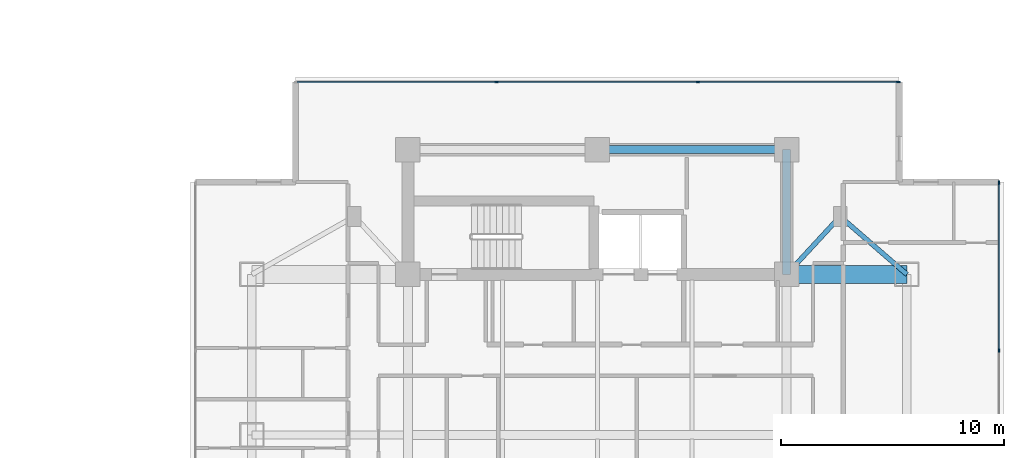
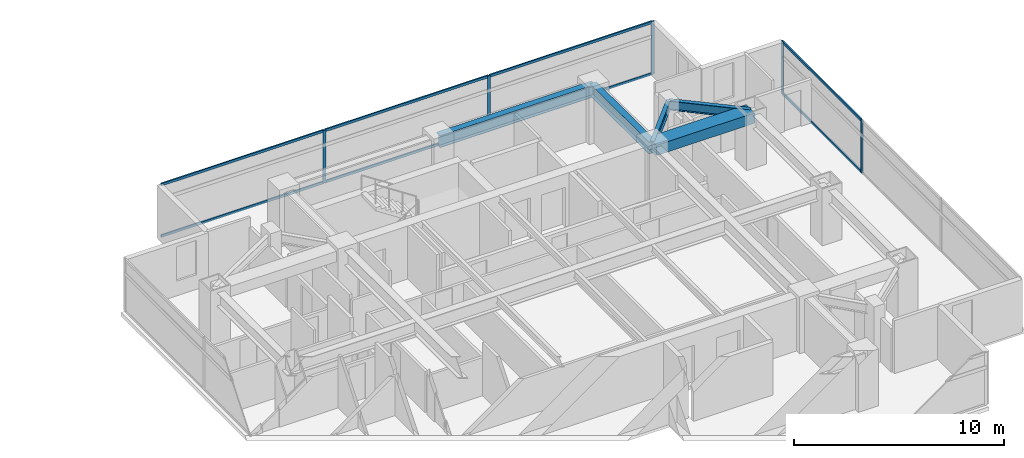
# One storey, part 10 of 24: 13 members, 5 beams, 2 elements without a shape of their own.
"""IFC4 building model written with IfcOpenShell, lengths in metres."""

from ifc_helpers import new_model, si_unit, direction, frame, origin, origin_2d, place, context, subcontext, project, spatial, rectangle, i_section, extrude, material, material_profile, profile_set, type_object, element, aggregate, save


model = new_model("IFC4")

# Units and contexts
model_context = context("Model", 3, precision=1e-05, world=origin(), true_north=direction((0.0, 1.0)))
body_context = subcontext(model_context, "Body", "Model", "MODEL_VIEW")
ifc_project = project(units=[si_unit("LENGTHUNIT", "METRE"), si_unit("AREAUNIT", "SQUARE_METRE"), si_unit("VOLUMEUNIT", "CUBIC_METRE"), si_unit("PLANEANGLEUNIT", "RADIAN"), si_unit("MASSUNIT", "GRAM", prefix="KILO")], contexts=[model_context])

# Site, building, storey
site_placement = place(None, origin())
site = spatial("IfcSite", under=ifc_project, at=site_placement, CompositionType="ELEMENT")
building_placement = place(site_placement, origin())
building = spatial("IfcBuilding", under=site, at=building_placement, Name="Mirazonda Arch Towers", CompositionType="ELEMENT")
storey_placement = place(building_placement, frame((0.0, 0.0, 134.60009765625)))
storey = spatial("IfcBuildingStorey", under=building, at=storey_placement, Name="L38", CompositionType="ELEMENT", Elevation=134.60009765625)

# Beams
ifc_material_1 = material(Name="Steel ASTM A992 Grade 50", Category="steel")
ifc_material_profile_1 = material_profile(ifc_material_1, i_section(OverallWidth=0.214111328125, OverallDepth=0.549072265625, WebThickness=0.0146484375, FlangeThickness=0.023681640625, at=origin_2d()), Name="W21X93")
ifc_profile_set_1 = profile_set([ifc_material_profile_1], Name="Steel ASTM A992 Grade 50")
beam_type_1 = type_object("IfcBeamType", Name="BM-INT-W21X93", PredefinedType="BEAM", material=ifc_profile_set_1)
beam_1_placement = place(storey_placement, frame((87.39990234375, 37.800048828125, 2.805419921875), z_axis=(-0.678251444854, -0.734829897019, 0.0), x_axis=(0.734829897019, -0.678251444854, 0.0)))
element("IfcBeam", 1, at=beam_1_placement, inside=storey, type_object=beam_type_1, Name="L38 Floor Beam BM-T2-L38-PL-NE1", PredefinedType="BEAM", context=body_context, shape_type="SweptSolid", body=[
    extrude(i_section(OverallWidth=0.214111328125, OverallDepth=0.549072265625, WebThickness=0.0146484375, FlangeThickness=0.023681640625, at=origin_2d()), origin(), (0.0, 0.0, 1.0), 3.538330078125),
])
beam_2_placement = place(storey_placement, frame((87.39990234375, 37.800048828125, 2.805419921875), z_axis=(0.755676908098, -0.654944585876, 0.0), x_axis=(0.654944585876, 0.755676908098, 0.0)))
element("IfcBeam", 2, at=beam_2_placement, inside=storey, type_object=beam_type_1, Name="L38 Floor Beam BM-T2-L38-PL-NE2", PredefinedType="BEAM", context=body_context, shape_type="SweptSolid", body=[
    extrude(i_section(OverallWidth=0.214111328125, OverallDepth=0.549072265625, WebThickness=0.0146484375, FlangeThickness=0.023681640625, at=origin_2d()), origin(), (0.0, 0.0, 1.0), 3.969970703125),
])
ifc_material_profile_2 = material_profile(ifc_material_1, i_section(OverallWidth=0.35498046875, OverallDepth=0.696044921875, WebThickness=0.015380859375, FlangeThickness=0.02490234375, at=origin_2d()), Name="W27X146")
ifc_profile_set_2 = profile_set([ifc_material_profile_2], Name="Steel ASTM A992 Grade 50")
beam_type_2 = type_object("IfcBeamType", Name="BM-INT-W27X146", PredefinedType="BEAM", material=ifc_profile_set_2)
beam_3_placement = place(storey_placement, frame((76.5, 40.800048828125, 2.73193359375), z_axis=(1.0, 0.0, 0.0), x_axis=(0.0, 1.0, 0.0)))
element("IfcBeam", 3, at=beam_3_placement, inside=storey, type_object=beam_type_2, Name="L38 Floor Beam BM-T2-L38-CN2", PredefinedType="BEAM", context=body_context, shape_type="SweptSolid", body=[
    extrude(i_section(OverallWidth=0.35498046875, OverallDepth=0.696044921875, WebThickness=0.015380859375, FlangeThickness=0.02490234375, at=origin_2d()), origin(), (0.0, 0.0, 1.0), 8.5),
])
beam_4_placement = place(storey_placement, frame((85.0, 35.199951171875, 2.73193359375), z_axis=(0.0, 1.0, 0.0), x_axis=(-1.0, 0.0, 0.0)))
element("IfcBeam", 4, at=beam_4_placement, inside=storey, type_object=beam_type_2, Name="L38 Floor Beam BM-T2-L38-CNE", PredefinedType="BEAM", context=body_context, shape_type="SweptSolid", body=[
    extrude(i_section(OverallWidth=0.35498046875, OverallDepth=0.696044921875, WebThickness=0.015380859375, FlangeThickness=0.02490234375, at=origin_2d()), origin(), (0.0, 0.0, 1.0), 5.60009765625),
])
ifc_material_2 = material(Name="Concrete C60/75", Category="concrete")
ifc_material_profile_3 = material_profile(ifc_material_2, rectangle(XDim=0.800048828125, YDim=0.60009765625, at=origin_2d()), Name="RCCB800x600")
ifc_profile_set_3 = profile_set([ifc_material_profile_3], Name="Concrete C60/75")
beam_type_3 = type_object("IfcBeamType", Name="CB-INT-RCCB800x600", PredefinedType="SPANDREL", material=ifc_profile_set_3)
beam_5_placement = place(storey_placement, frame((85.0, 35.199951171875, 2.77978515625), z_axis=(1.0, 0.0, 0.0), x_axis=(0.0, 1.0, 0.0)))
element("IfcBeam", 5, at=beam_5_placement, inside=storey, type_object=beam_type_3, Name="L38 Floor Beam CBC-T2-L38-NE", PredefinedType="SPANDREL", context=body_context, shape_type="SweptSolid", body=[
    extrude(rectangle(XDim=0.800048828125, YDim=0.60009765625, at=origin_2d()), origin(), (0.0, 0.0, 1.0), 5.39990234375),
])

# Curtain wall, members
ifc_material_3 = material(Name="Anodised Aluminium and Low-E Glass", Category="aluminium")
curtain_wall_type = type_object("IfcCurtainWallType", Name="CW-HTL-UNIT", PredefinedType="NOTDEFINED", material=ifc_material_3)
curtain_wall_1_placement = place(storey_placement, origin())
curtain_wall_1 = element("IfcCurtainWall", 6, at=curtain_wall_1_placement, inside=storey, type_object=curtain_wall_type, Name="L38 T2 E Facade CW-L38-T2-E", PredefinedType="NOTDEFINED")
ifc_material_4 = material(Name="Anodised Aluminium Alloy", Category="aluminium")
ifc_material_profile_4 = material_profile(ifc_material_4, rectangle(XDim=0.074951171875, YDim=0.1650390625, at=origin_2d()), Name="ALU-MULL-75x165")
ifc_profile_set_4 = profile_set([ifc_material_profile_4], Name="Anodised Aluminium Alloy")
member_type_1 = type_object("IfcMemberType", Name="MULL-CW-HTL-UNIT", PredefinedType="MULLION", material=ifc_profile_set_4)
member_1_placement = place(storey_placement, frame((94.534912109375, 31.782958984375, 0.0), z_axis=(0.0, 0.0, 1.0), x_axis=(-1.0, 0.0, 0.0)))
member_1 = element("IfcMember", 7, at=member_1_placement, type_object=member_type_1, Name="CW-112 mullion 3", PredefinedType="MULLION", context=body_context, shape_type="SweptSolid", body=[
    extrude(rectangle(XDim=0.074951171875, YDim=0.1650390625, at=origin_2d()), origin(), (0.0, 0.0, 1.0), 3.059814453125),
])
member_2_placement = place(storey_placement, frame((94.534912109375, 39.3115234375, 0.0), z_axis=(0.0, 0.0, 1.0), x_axis=(-1.0, 0.0, 0.0)))
member_2 = element("IfcMember", 8, at=member_2_placement, type_object=member_type_1, Name="CW-112 mullion 4", PredefinedType="MULLION", context=body_context, shape_type="SweptSolid", body=[
    extrude(rectangle(XDim=0.074951171875, YDim=0.1650390625, at=origin_2d()), origin(), (0.0, 0.0, 1.0), 3.059814453125),
])

curtain_wall_2_placement = place(storey_placement, origin())
curtain_wall_2 = element("IfcCurtainWall", 9, at=curtain_wall_2_placement, inside=storey, type_object=curtain_wall_type, Name="L38 T2 N Facade CW-L38-T2-N", PredefinedType="NOTDEFINED")
member_3_placement = place(storey_placement, frame((71.98388671875, 43.83544921875, 0.0), z_axis=(0.0, 0.0, 1.0), x_axis=(0.0, 1.0, 0.0)))
member_3 = element("IfcMember", 10, at=member_3_placement, type_object=member_type_1, Name="CW-112 mullion 2", PredefinedType="MULLION", context=body_context, shape_type="SweptSolid", body=[
    extrude(rectangle(XDim=0.074951171875, YDim=0.1650390625, at=origin_2d()), origin(), (0.0, 0.0, 1.0), 3.059814453125),
])
member_4_placement = place(storey_placement, frame((81.01611328125, 43.83544921875, 0.0), z_axis=(0.0, 0.0, 1.0), x_axis=(0.0, 1.0, 0.0)))
member_4 = element("IfcMember", 11, at=member_4_placement, type_object=member_type_1, Name="CW-112 mullion 3", PredefinedType="MULLION", context=body_context, shape_type="SweptSolid", body=[
    extrude(rectangle(XDim=0.074951171875, YDim=0.1650390625, at=origin_2d()), origin(), (0.0, 0.0, 1.0), 3.059814453125),
])
member_5_placement = place(storey_placement, frame((90.010986328125, 43.83544921875, 0.0), z_axis=(0.0, 0.0, 1.0), x_axis=(0.0, 1.0, 0.0)))
member_5 = element("IfcMember", 12, at=member_5_placement, type_object=member_type_1, Name="CW-112 mullion 4", PredefinedType="MULLION", context=body_context, shape_type="SweptSolid", body=[
    extrude(rectangle(XDim=0.074951171875, YDim=0.1650390625, at=origin_2d()), origin(), (0.0, 0.0, 1.0), 3.059814453125),
])

# Member
ifc_material_profile_5 = material_profile(ifc_material_4, rectangle(XDim=0.074951171875, YDim=0.14501953125, at=origin_2d()), Name="ALU-TRAN-75x145")
ifc_profile_set_5 = profile_set([ifc_material_profile_5], Name="Anodised Aluminium Alloy")
member_type_2 = type_object("IfcMemberType", Name="TRAN-CW-HTL-UNIT", PredefinedType="USERDEFINED", material=ifc_profile_set_5)
member_6_placement = place(storey_placement, frame((94.534912109375, 31.820556640625, 0.037353515625), z_axis=(0.0, 1.0, 0.0), x_axis=(-1.0, 0.0, 0.0)))
member_6 = element("IfcMember", 13, at=member_6_placement, type_object=member_type_2, Name="CW-112 transom 3.1", ObjectType="TRANSOM", PredefinedType="USERDEFINED", context=body_context, shape_type="SweptSolid", body=[
    extrude(rectangle(XDim=0.074951171875, YDim=0.14501953125, at=origin_2d()), origin(), (0.0, 0.0, 1.0), 7.453369140625),
])

member_7_placement = place(storey_placement, frame((94.534912109375, 31.820556640625, 3.0224609375), z_axis=(0.0, 1.0, 0.0), x_axis=(-1.0, 0.0, 0.0)))
member_7 = element("IfcMember", 14, at=member_7_placement, type_object=member_type_2, Name="CW-112 transom 3.2", ObjectType="TRANSOM", PredefinedType="USERDEFINED", context=body_context, shape_type="SweptSolid", body=[
    extrude(rectangle(XDim=0.074951171875, YDim=0.14501953125, at=origin_2d()), origin(), (0.0, 0.0, 1.0), 7.453369140625),
])

aggregate(curtain_wall_1, [member_1, member_2, member_6, member_7])

member_8_placement = place(storey_placement, frame((63.026611328125, 43.83544921875, 0.037353515625), z_axis=(1.0, 0.0, 0.0), x_axis=(0.0, 1.0, 0.0)))
member_8 = element("IfcMember", 15, at=member_8_placement, type_object=member_type_2, Name="CW-112 transom 1.1", ObjectType="TRANSOM", PredefinedType="USERDEFINED", context=body_context, shape_type="SweptSolid", body=[
    extrude(rectangle(XDim=0.074951171875, YDim=0.14501953125, at=origin_2d()), origin(), (0.0, 0.0, 1.0), 8.919677734375),
])

member_9_placement = place(storey_placement, frame((63.026611328125, 43.83544921875, 3.0224609375), z_axis=(1.0, 0.0, 0.0), x_axis=(0.0, 1.0, 0.0)))
member_9 = element("IfcMember", 16, at=member_9_placement, type_object=member_type_2, Name="CW-112 transom 1.2", ObjectType="TRANSOM", PredefinedType="USERDEFINED", context=body_context, shape_type="SweptSolid", body=[
    extrude(rectangle(XDim=0.074951171875, YDim=0.14501953125, at=origin_2d()), origin(), (0.0, 0.0, 1.0), 8.919677734375),
])

member_10_placement = place(storey_placement, frame((72.021240234375, 43.83544921875, 0.037353515625), z_axis=(1.0, 0.0, 0.0), x_axis=(0.0, 1.0, 0.0)))
member_10 = element("IfcMember", 17, at=member_10_placement, type_object=member_type_2, Name="CW-112 transom 2.1", ObjectType="TRANSOM", PredefinedType="USERDEFINED", context=body_context, shape_type="SweptSolid", body=[
    extrude(rectangle(XDim=0.074951171875, YDim=0.14501953125, at=origin_2d()), origin(), (0.0, 0.0, 1.0), 8.95751953125),
])

member_11_placement = place(storey_placement, frame((72.021240234375, 43.83544921875, 3.0224609375), z_axis=(1.0, 0.0, 0.0), x_axis=(0.0, 1.0, 0.0)))
member_11 = element("IfcMember", 18, at=member_11_placement, type_object=member_type_2, Name="CW-112 transom 2.2", ObjectType="TRANSOM", PredefinedType="USERDEFINED", context=body_context, shape_type="SweptSolid", body=[
    extrude(rectangle(XDim=0.074951171875, YDim=0.14501953125, at=origin_2d()), origin(), (0.0, 0.0, 1.0), 8.95751953125),
])

member_12_placement = place(storey_placement, frame((81.0537109375, 43.83544921875, 0.037353515625), z_axis=(1.0, 0.0, 0.0), x_axis=(0.0, 1.0, 0.0)))
member_12 = element("IfcMember", 19, at=member_12_placement, type_object=member_type_2, Name="CW-112 transom 3.1", ObjectType="TRANSOM", PredefinedType="USERDEFINED", context=body_context, shape_type="SweptSolid", body=[
    extrude(rectangle(XDim=0.074951171875, YDim=0.14501953125, at=origin_2d()), origin(), (0.0, 0.0, 1.0), 8.919677734375),
])

member_13_placement = place(storey_placement, frame((81.0537109375, 43.83544921875, 3.0224609375), z_axis=(1.0, 0.0, 0.0), x_axis=(0.0, 1.0, 0.0)))
member_13 = element("IfcMember", 20, at=member_13_placement, type_object=member_type_2, Name="CW-112 transom 3.2", ObjectType="TRANSOM", PredefinedType="USERDEFINED", context=body_context, shape_type="SweptSolid", body=[
    extrude(rectangle(XDim=0.074951171875, YDim=0.14501953125, at=origin_2d()), origin(), (0.0, 0.0, 1.0), 8.919677734375),
])

aggregate(curtain_wall_2, [member_3, member_4, member_5, member_8, member_9, member_10, member_11, member_12, member_13])

save(model, "model.ifc")
